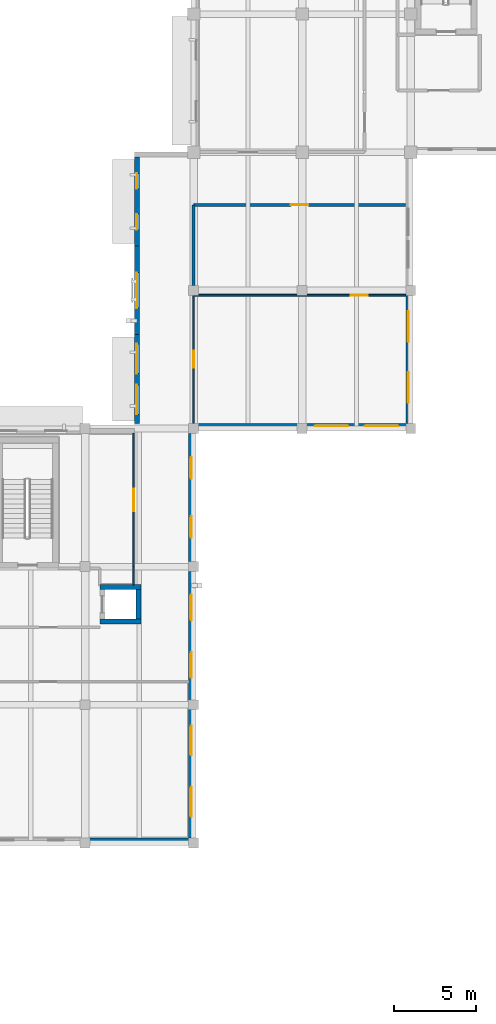
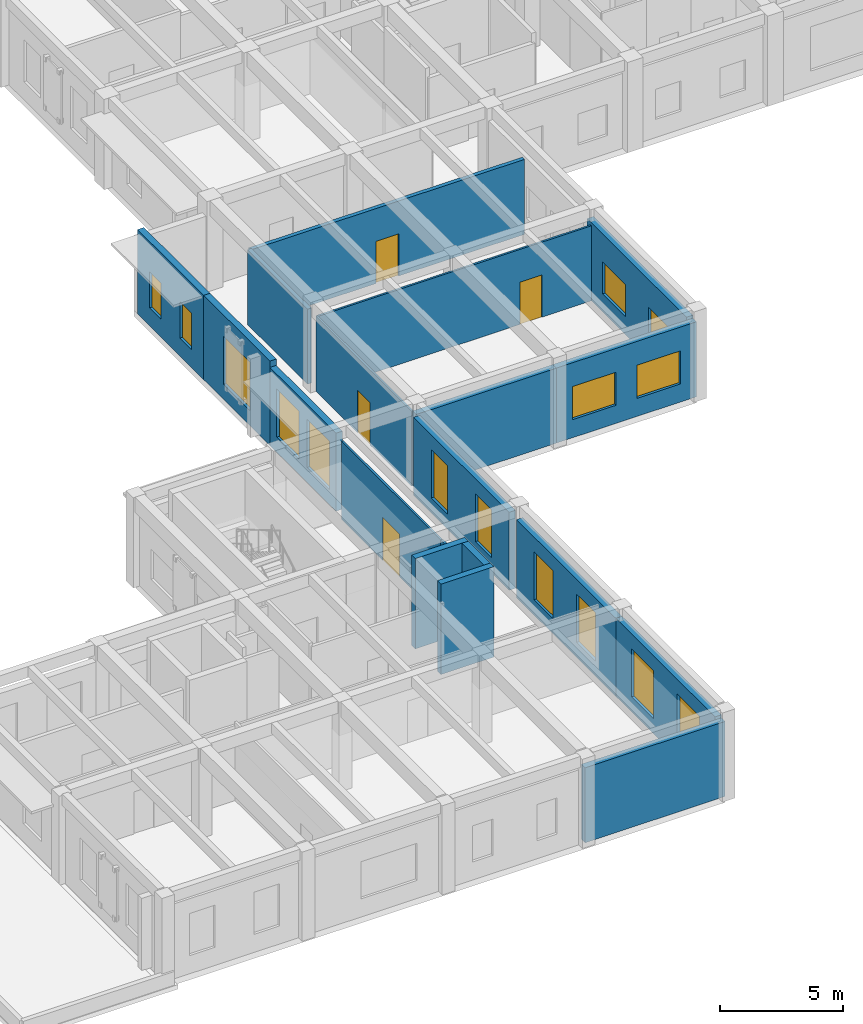
# One storey, part 11 of 25: 19 walls, 15 windows, 4 doors, 19 openings.
"""IFC4 building model written with IfcOpenShell, lengths in metres."""

import ifcopenshell
import ifcopenshell.guid

model = None  # the IFC model being written
_history = None  # IfcOwnerHistory: only IFC2X3 demands one
_inside = {}  # id of a spatial element -> (the spatial element, [elements in it])
_under = {}  # id of a project, library or spatial element -> (it, [spatial elements below it])
_declared = {}  # id of a project -> (the project, [libraries it declares])
_typed = {}  # id of a type object -> (the type object, [elements of that type])
_made_of = {}  # id of a material, layer set ... -> (it, [elements and type objects made of it])


def new_model(schema):
    """Start an empty IFC model of exactly this schema.

    Asked for "IFC4X3", IfcOpenShell would pick the latest addendum, in which some entities
    have other attributes; the version numbers below select the first issue.
    IFC2X3 requires an IfcOwnerHistory on every rooted entity: one is made here for all.
    """
    global model, _history
    if schema == "IFC4X3":
        model = ifcopenshell.file(schema_version=(4, 3, 0, 0))
    else:
        model = ifcopenshell.file(schema=schema)
    _inside.clear()
    _under.clear()
    _declared.clear()
    _typed.clear()
    _made_of.clear()
    _history = None
    if model.schema == "IFC2X3":
        org = make("IfcOrganization", Name="unknown")
        user = make(
            "IfcPersonAndOrganization",
            ThePerson=make("IfcPerson", FamilyName="unknown"),
            TheOrganization=org,
        )
        app = make(
            "IfcApplication",
            ApplicationDeveloper=org,
            Version="unknown",
            ApplicationFullName="unknown",
            ApplicationIdentifier="unknown",
        )
        _history = make(
            "IfcOwnerHistory",
            OwningUser=user,
            OwningApplication=app,
            ChangeAction="ADDED",
            CreationDate=0,
        )
    return model


def make(cls, **values):
    """One entity of the class cls with the attributes given. An attribute that is None is left unset."""
    return model.create_entity(
        cls, **{name: value for name, value in values.items() if value is not None}
    )


def rooted(cls, **values):
    """An entity with a GlobalId (a new one), such as an element, a storey or a relation."""
    return make(cls, GlobalId=ifcopenshell.guid.new(), OwnerHistory=_history, **values)


def si_unit(unit_type, name, prefix=None):
    """IfcSIUnit, for example si_unit("LENGTHUNIT", "METRE", prefix="MILLI")."""
    return make("IfcSIUnit", UnitType=unit_type, Prefix=prefix, Name=name)


def assignment(units):
    """IfcUnitAssignment: the units of a project."""
    return None if units is None else make("IfcUnitAssignment", Units=units)


def point(xyz):
    """IfcCartesianPoint."""
    return None if xyz is None else make("IfcCartesianPoint", Coordinates=xyz)


def direction(xyz):
    """IfcDirection."""
    return None if xyz is None else make("IfcDirection", DirectionRatios=xyz)


def frame(location, z_axis=None, x_axis=None):
    """IfcAxis2Placement3D, a coordinate frame: its origin and axes. An axis left out is left unset."""
    return make(
        "IfcAxis2Placement3D",
        Location=point(location),
        Axis=direction(z_axis),
        RefDirection=direction(x_axis),
    )


def frame_2d(location, x_axis=None):
    """IfcAxis2Placement2D, a coordinate frame in the plane: its origin and x axis."""
    return make(
        "IfcAxis2Placement2D", Location=point(location), RefDirection=direction(x_axis)
    )


def origin():
    """The frame at (0, 0, 0) with its axes left unset."""
    return frame((0.0, 0.0, 0.0))


def place(relative_to, where):
    """IfcLocalPlacement: puts the frame where relative to a parent placement (None: the world)."""
    return make(
        "IfcLocalPlacement", PlacementRelTo=relative_to, RelativePlacement=where
    )


def context(
    kind, dimensions, precision=None, world=None, true_north=None, identifier=None
):
    """IfcGeometricRepresentationContext, for example the 3D "Model" context."""
    return make(
        "IfcGeometricRepresentationContext",
        ContextIdentifier=identifier,
        ContextType=kind,
        CoordinateSpaceDimension=dimensions,
        Precision=precision,
        WorldCoordinateSystem=world,
        TrueNorth=true_north,
    )


def subcontext(parent, identifier, kind, view, scale=None):
    """IfcGeometricRepresentationSubContext, for example "Body" below "Model"."""
    return make(
        "IfcGeometricRepresentationSubContext",
        ContextIdentifier=identifier,
        ContextType=kind,
        ParentContext=parent,
        TargetScale=scale,
        TargetView=view,
    )


def project(units=None, contexts=None):
    """IfcProject with its units and contexts."""
    return rooted(
        "IfcProject",
        Name="project",
        RepresentationContexts=contexts,
        UnitsInContext=assignment(units),
    )


def spatial(cls, under=None, at=None, **own):
    """A site, building, storey or space (cls), placed at a placement, below another one or the project."""
    s = rooted(cls, ObjectPlacement=at, **own)
    if under is not None:
        _under.setdefault(under.id(), (under, []))[1].append(s)
    return s


def profile(cls, at=None, kind="AREA", **sizes):
    """A parametric profile (cls). Its sizes go by their IFC names, for example OverallWidth=200.0."""
    return make(cls, ProfileType=kind, Position=at, **sizes)


def rectangle(**sizes):
    """IfcRectangleProfileDef."""
    return profile("IfcRectangleProfileDef", **sizes)


def extrude(swept, where, along, depth):
    """IfcExtrudedAreaSolid: the profile swept, set in the frame where, extruded along a direction by depth."""
    return make(
        "IfcExtrudedAreaSolid",
        SweptArea=swept,
        Position=where,
        ExtrudedDirection=direction(along),
        Depth=depth,
    )


def shape(context_of_items, identifier, shape_type, items):
    """IfcShapeRepresentation: the items that make up one representation, for example the "Body"."""
    return make(
        "IfcShapeRepresentation",
        ContextOfItems=context_of_items,
        RepresentationIdentifier=identifier,
        RepresentationType=shape_type,
        Items=items,
    )


def material(Name=None, Category=None):
    """IfcMaterial."""
    return make("IfcMaterial", Name=Name, Category=Category)


def layer(
    of_material, thickness, ventilated=None, Name=None, Category=None, Priority=None
):
    """IfcMaterialLayer: one layer of a wall or slab, of a material (None: an air gap)."""
    return make(
        "IfcMaterialLayer",
        Material=of_material,
        LayerThickness=thickness,
        IsVentilated=ventilated,
        Name=Name,
        Category=Category,
        Priority=Priority,
    )


def layer_set(layers, Name=None):
    """IfcMaterialLayerSet."""
    return make("IfcMaterialLayerSet", MaterialLayers=layers, LayerSetName=Name)


def made_of(thing, what):
    """Note that an element or type object is made of a material, layer set ...; save() writes the relation."""
    if what is not None:
        _made_of.setdefault(what.id(), (what, []))[1].append(thing)
    return thing


def type_object(cls, material=None, **own):
    """A type object (cls), such as IfcWallType, which elements share."""
    return made_of(rooted(cls, **own), material)


def element(
    cls,
    number,
    at=None,
    inside=None,
    cuts=None,
    type_object=None,
    material=None,
    context=None,
    identifier="Body",
    shape_type=None,
    held_by="IfcProductDefinitionShape",
    body=None,
    shapes=None,
    **own,
):
    """One element of the class cls, such as IfcWall. Its Tag is "e" and its number.

    at: its placement. inside: the storey or other place that contains it. cuts: it is an
    opening in that element (IfcRelVoidsElement). A single representation is given by context,
    identifier, shape_type and body (its items); several are given by shapes. held_by: the class
    of the entity that holds the representations. save() writes the other relations.
    """
    e = rooted(cls, Tag="e%d" % number, ObjectPlacement=at, **own)
    if body is not None:
        shapes = [shape(context, identifier, shape_type, body)]
    if shapes is not None:
        e.Representation = make(held_by, Representations=shapes)
    if inside is not None:
        _inside.setdefault(inside.id(), (inside, []))[1].append(e)
    if cuts is not None:
        rooted(
            "IfcRelVoidsElement", RelatingBuildingElement=cuts, RelatedOpeningElement=e
        )
    if type_object is not None:
        _typed.setdefault(type_object.id(), (type_object, []))[1].append(e)
    return made_of(e, material)


def fill(opening, filler):
    """IfcRelFillsElement: the door or window that sits in an opening."""
    return rooted(
        "IfcRelFillsElement",
        RelatingOpeningElement=opening,
        RelatedBuildingElement=filler,
    )


def aggregate(whole, parts):
    """IfcRelAggregates: a whole, such as a stair, and the parts it consists of."""
    return rooted("IfcRelAggregates", RelatingObject=whole, RelatedObjects=parts)


def save(model, path):
    """Write the relations noted so far, then the file.

    IfcRelAggregates (storeys below a building ...), IfcRelContainedInSpatialStructure (elements
    in a storey), IfcRelDefinesByType, IfcRelAssociatesMaterial and IfcRelDeclares: one each for
    every whole, place, type object, material and project.
    """
    for whole, parts in _under.values():
        aggregate(whole, parts)
    for where, things in _inside.values():
        rooted(
            "IfcRelContainedInSpatialStructure",
            RelatedElements=things,
            RelatingStructure=where,
        )
    for kind, things in _typed.values():
        rooted("IfcRelDefinesByType", RelatedObjects=things, RelatingType=kind)
    for what, things in _made_of.values():
        rooted("IfcRelAssociatesMaterial", RelatedObjects=things, RelatingMaterial=what)
    for by, libraries in _declared.values():
        rooted("IfcRelDeclares", RelatingContext=by, RelatedDefinitions=libraries)
    model.write(path)


model = new_model("IFC4")

# Units and contexts
model_context = context("Model", 3, precision=1e-05, world=origin(), true_north=direction((0.0, 1.0)))
body_context = subcontext(model_context, "Body", "Model", "MODEL_VIEW")
ifc_project = project(units=[si_unit("LENGTHUNIT", "METRE"), si_unit("AREAUNIT", "SQUARE_METRE"), si_unit("VOLUMEUNIT", "CUBIC_METRE"), si_unit("PLANEANGLEUNIT", "RADIAN"), si_unit("MASSUNIT", "GRAM", prefix="KILO")], contexts=[model_context])

# Site, building, storey
site_placement = place(None, origin())
site = spatial("IfcSite", under=ifc_project, at=site_placement, CompositionType="ELEMENT")
building_placement = place(site_placement, origin())
building = spatial("IfcBuilding", under=site, at=building_placement, Name="Kolvaren Faculty of Natural Sciences", CompositionType="ELEMENT")
storey_placement = place(building_placement, frame((0.0, 0.0, 19.5)))
storey = spatial("IfcBuildingStorey", under=building, at=storey_placement, Name="L04", CompositionType="ELEMENT", Elevation=19.5)

# Wall, opening, door
ifc_material_1 = material(Name="Acoustic mineral-wool insulated gypsum partition")
ifc_layer_1 = layer(ifc_material_1, 0.094970703125)
ifc_layer_set_1 = layer_set([ifc_layer_1], Name="Acoustic mineral-wool insulated gypsum partition")
wall_type_1 = type_object("IfcWallType", Name="CubiclePartition_095", PredefinedType="PARTITIONING", material=ifc_layer_set_1)
wall_1_placement = place(storey_placement, frame((138.800048828125, 42.501953125, 0.0), z_axis=(0.0, 0.0, 1.0), x_axis=(0.0, 1.0, 0.0)))
wall_1 = element("IfcWall", 1, at=wall_1_placement, inside=storey, type_object=wall_type_1, Name="L04 interior partition PW-095", PredefinedType="PARTITIONING", context=body_context, shape_type="SweptSolid", body=[
    extrude(rectangle(XDim=7.798095703125, YDim=0.094970703125, at=frame_2d((3.89892578125, 0.0))), origin(), (0.0, 0.0, 1.0), 3.735107421875),
])
opening_1_placement = place(wall_1_placement, frame((3.384033203125, 0.0, 0.0)))
opening_1 = element("IfcOpeningElement", 2, at=opening_1_placement, cuts=wall_1, Name="Opening ID-15", PredefinedType="OPENING", context=body_context, shape_type="SweptSolid", body=[
    extrude(rectangle(XDim=1.030029296875, YDim=2.10009765625, at=frame_2d((0.51513671875, 1.050048828125))), frame((0.0, 0.057373046875, 0.0), z_axis=(0.0, -1.0, 0.0), x_axis=(1.0, 0.0, 0.0)), (0.0, 0.0, 1.0), 0.114990234375),
])
ifc_material_2 = material(Name="Solid-core hardwood veneer door leaf in steel frame", Category="steel")
door_type_1 = type_object("IfcDoorType", Name="InteriorRoomDoor_1030x2100", OperationType="NOTDEFINED", PredefinedType="DOOR", material=ifc_material_2)
door_1_placement = place(opening_1_placement, origin())
door_1 = element("IfcDoor", 3, at=door_1_placement, inside=storey, type_object=door_type_1, Name="D-L04-0282", OperationType="SINGLE_SWING_LEFT", OverallHeight=2.10009765625, OverallWidth=1.030029296875, PredefinedType="DOOR", context=body_context, shape_type="SweptSolid", body=[
    extrude(rectangle(XDim=1.030029296875, YDim=2.10009765625, at=frame_2d((0.51513671875, 1.050048828125))), frame((0.0, 0.02490234375, 0.0), z_axis=(0.0, -1.0, 0.0), x_axis=(1.0, 0.0, 0.0)), (0.0, 0.0, 1.0), 0.050048828125),
])
fill(opening_1, door_1)

wall_2_placement = place(storey_placement, frame((138.800048828125, 50.300048828125, 0.0), z_axis=(0.0, 0.0, 1.0), x_axis=(1.0, 0.0, 0.0)))
wall_2 = element("IfcWall", 4, at=wall_2_placement, inside=storey, type_object=wall_type_1, Name="L04 interior partition PW-095", PredefinedType="PARTITIONING", context=body_context, shape_type="SweptSolid", body=[
    extrude(rectangle(XDim=12.89794921875, YDim=0.094970703125, at=frame_2d((6.448974609375, 0.0))), origin(), (0.0, 0.0, 1.0), 3.735107421875),
])
opening_2_placement = place(wall_2_placement, frame((9.54541015625, 0.0, 0.0)))
opening_2 = element("IfcOpeningElement", 5, at=opening_2_placement, cuts=wall_2, Name="Opening ID-15", PredefinedType="OPENING", context=body_context, shape_type="SweptSolid", body=[
    extrude(rectangle(XDim=1.030029296875, YDim=2.10009765625, at=frame_2d((0.51513671875, 1.050048828125))), frame((0.0, 0.057373046875, 0.0), z_axis=(0.0, -1.0, 0.0), x_axis=(1.0, 0.0, 0.0)), (0.0, 0.0, 1.0), 0.114990234375),
])
door_2_placement = place(opening_2_placement, origin())
door_2 = element("IfcDoor", 6, at=door_2_placement, inside=storey, type_object=door_type_1, Name="D-L04-0283", OperationType="SINGLE_SWING_RIGHT", OverallHeight=2.10009765625, OverallWidth=1.030029296875, PredefinedType="DOOR", context=body_context, shape_type="SweptSolid", body=[
    extrude(rectangle(XDim=1.030029296875, YDim=2.10009765625, at=frame_2d((0.51513671875, 1.050048828125))), frame((0.0, 0.02490234375, 0.0), z_axis=(0.0, -1.0, 0.0), x_axis=(1.0, 0.0, 0.0)), (0.0, 0.0, 1.0), 0.050048828125),
])
fill(opening_2, door_2)

wall_3_placement = place(storey_placement, frame((135.14990234375, 41.89794921875, 0.0), z_axis=(0.0, 0.0, 1.0), x_axis=(0.0, -1.0, 0.0)))
wall_3 = element("IfcWall", 7, at=wall_3_placement, inside=storey, type_object=wall_type_1, Name="L04 interior partition PW-095", PredefinedType="PARTITIONING", context=body_context, shape_type="SweptSolid", body=[
    extrude(rectangle(XDim=8.097900390625, YDim=0.094970703125, at=frame_2d((4.048828125, 0.0))), origin(), (0.0, 0.0, 1.0), 3.885009765625),
])
opening_3_placement = place(wall_3_placement, frame((3.368896484375, 0.0, 0.0)))
opening_3 = element("IfcOpeningElement", 8, at=opening_3_placement, cuts=wall_3, Name="Opening ID-26", PredefinedType="OPENING", context=body_context, shape_type="SweptSolid", body=[
    extrude(rectangle(XDim=1.360107421875, YDim=2.139892578125, at=frame_2d((0.68017578125, 1.06982421875))), frame((0.0, 0.057373046875, 0.0), z_axis=(0.0, -1.0, 0.0), x_axis=(1.0, 0.0, 0.0)), (0.0, 0.0, 1.0), 0.114990234375),
])
ifc_material_3 = material(Name="Thermally broken anodised aluminium glazed door", Category="aluminium")
door_type_2 = type_object("IfcDoorType", Name="InteriorRoomDoor_1360x2140", OperationType="DOUBLE_DOOR_SINGLE_SWING", PredefinedType="DOOR", material=ifc_material_3)
door_3_placement = place(opening_3_placement, origin())
door_3 = element("IfcDoor", 9, at=door_3_placement, inside=storey, type_object=door_type_2, Name="D-L04-0295", OperationType="DOUBLE_DOOR_SINGLE_SWING", OverallHeight=2.139892578125, OverallWidth=1.360107421875, PredefinedType="DOOR", context=body_context, shape_type="SweptSolid", body=[
    extrude(rectangle(XDim=1.360107421875, YDim=2.139892578125, at=frame_2d((0.68017578125, 1.06982421875))), frame((0.0, 0.02490234375, 0.0), z_axis=(0.0, -1.0, 0.0), x_axis=(1.0, 0.0, 0.0)), (0.0, 0.0, 1.0), 0.050048828125),
])
fill(opening_3, door_3)

# Wall
wall_4_placement = place(storey_placement, frame((135.14990234375, 33.800048828125, 0.0), z_axis=(0.0, 0.0, 1.0), x_axis=(0.0, -1.0, 0.0)))
element("IfcWall", 10, at=wall_4_placement, inside=storey, type_object=wall_type_1, Name="L04 interior partition PW-095", PredefinedType="PARTITIONING", context=body_context, shape_type="SweptSolid", body=[
    extrude(rectangle(XDim=1.09814453125, YDim=0.094970703125, at=frame_2d((0.549072265625, 0.0))), origin(), (0.0, 0.0, 1.0), 3.885009765625),
])

# Wall, openings, windows
ifc_material_4 = material(Name="Sandstone-faced insulated cavity masonry", Category="masonry")
ifc_layer_2 = layer(ifc_material_4, 0.300048828125)
ifc_layer_set_2 = layer_set([ifc_layer_2], Name="Sandstone-faced insulated cavity masonry")
wall_type_2 = type_object("IfcWallType", Name="ExteriorCavityWall_300", PredefinedType="STANDARD", material=ifc_layer_set_2)
wall_5_placement = place(storey_placement, frame((135.35009765625, 42.5, 0.0), z_axis=(0.0, 0.0, 1.0), x_axis=(0.0, 1.0, 0.0)))
wall_5 = element("IfcWall", 11, at=wall_5_placement, inside=storey, type_object=wall_type_2, Name="L04 exterior masonry wall EW-300 (599)", PredefinedType="STANDARD", context=body_context, shape_type="SweptSolid", body=[
    extrude(rectangle(XDim=5.39990234375, YDim=0.300048828125, at=frame_2d((2.699951171875, 0.0))), origin(), (0.0, 0.0, 1.0), 3.885009765625),
])
opening_4_placement = place(wall_5_placement, frame((0.55810546875, 0.0, 0.75)))
opening_4 = element("IfcOpeningElement", 12, at=opening_4_placement, cuts=wall_5, Name="Opening WIN-21", PredefinedType="OPENING", context=body_context, shape_type="SweptSolid", body=[
    extrude(rectangle(XDim=1.800048828125, YDim=2.39990234375, at=frame_2d((0.89990234375, 1.199951171875))), frame((0.0, 0.159912109375, 0.0), z_axis=(0.0, -1.0, 0.0), x_axis=(1.0, 0.0, 0.0)), (0.0, 0.0, 1.0), 0.320068359375),
])
opening_5_placement = place(wall_5_placement, frame((3.0419921875, 0.0, 0.75)))
opening_5 = element("IfcOpeningElement", 13, at=opening_5_placement, cuts=wall_5, Name="Opening WIN-21", PredefinedType="OPENING", context=body_context, shape_type="SweptSolid", body=[
    extrude(rectangle(XDim=1.800048828125, YDim=2.39990234375, at=frame_2d((0.89990234375, 1.199951171875))), frame((0.0, 0.159912109375, 0.0), z_axis=(0.0, -1.0, 0.0), x_axis=(1.0, 0.0, 0.0)), (0.0, 0.0, 1.0), 0.320068359375),
])
ifc_material_5 = material(Name="Double low-E solar control insulated glazing", Category="glass")
window_type_1 = type_object("IfcWindowType", Name="AluWindow_WIN21_1800x2400", PartitioningType="SINGLE_PANEL", PredefinedType="WINDOW", material=ifc_material_5)
window_1_placement = place(opening_4_placement, origin())
window_1 = element("IfcWindow", 14, at=window_1_placement, inside=storey, type_object=window_type_1, Name="WIN-L04-0383", OverallHeight=2.39990234375, OverallWidth=1.800048828125, PartitioningType="SINGLE_PANEL", PredefinedType="WINDOW", context=body_context, shape_type="SweptSolid", body=[
    extrude(rectangle(XDim=1.800048828125, YDim=2.39990234375, at=frame_2d((0.89990234375, 1.199951171875))), frame((0.0, 0.030029296875, 0.0), z_axis=(0.0, -1.0, 0.0), x_axis=(1.0, 0.0, 0.0)), (0.0, 0.0, 1.0), 0.06005859375),
])
fill(opening_4, window_1)
window_2_placement = place(opening_5_placement, origin())
window_2 = element("IfcWindow", 15, at=window_2_placement, inside=storey, type_object=window_type_1, Name="WIN-L04-0384", OverallHeight=2.39990234375, OverallWidth=1.800048828125, PartitioningType="SINGLE_PANEL", PredefinedType="WINDOW", context=body_context, shape_type="SweptSolid", body=[
    extrude(rectangle(XDim=1.800048828125, YDim=2.39990234375, at=frame_2d((0.89990234375, 1.199951171875))), frame((0.0, 0.030029296875, 0.0), z_axis=(0.0, -1.0, 0.0), x_axis=(1.0, 0.0, 0.0)), (0.0, 0.0, 1.0), 0.06005859375),
])
fill(opening_5, window_2)

# Wall, opening, window
wall_6_placement = place(storey_placement, frame((135.35009765625, 47.89990234375, 0.0), z_axis=(0.0, 0.0, 1.0), x_axis=(0.0, 1.0, 0.0)))
wall_6 = element("IfcWall", 16, at=wall_6_placement, inside=storey, type_object=wall_type_2, Name="L04 exterior masonry wall EW-300 (600)", PredefinedType="STANDARD", context=body_context, shape_type="SweptSolid", body=[
    extrude(rectangle(XDim=5.400146484375, YDim=0.300048828125, at=frame_2d((2.7001953125, 0.0))), origin(), (0.0, 0.0, 1.0), 4.199951171875),
])
opening_6_placement = place(wall_6_placement, frame((1.625, 0.0, 0.75)))
opening_6 = element("IfcOpeningElement", 17, at=opening_6_placement, cuts=wall_6, Name="Opening WIN-22", PredefinedType="OPENING", context=body_context, shape_type="SweptSolid", body=[
    extrude(rectangle(XDim=2.14990234375, YDim=2.39990234375, at=frame_2d((1.074951171875, 1.199951171875))), frame((0.0, 0.159912109375, 0.0), z_axis=(0.0, -1.0, 0.0), x_axis=(1.0, 0.0, 0.0)), (0.0, 0.0, 1.0), 0.320068359375),
])
window_type_2 = type_object("IfcWindowType", Name="AluWindow_WIN22_2150x2400", PartitioningType="SINGLE_PANEL", PredefinedType="WINDOW", material=ifc_material_5)
window_3_placement = place(opening_6_placement, origin())
window_3 = element("IfcWindow", 18, at=window_3_placement, inside=storey, type_object=window_type_2, Name="WIN-L04-0385", OverallHeight=2.39990234375, OverallWidth=2.14990234375, PartitioningType="SINGLE_PANEL", PredefinedType="WINDOW", context=body_context, shape_type="SweptSolid", body=[
    extrude(rectangle(XDim=2.14990234375, YDim=2.39990234375, at=frame_2d((1.074951171875, 1.199951171875))), frame((0.0, 0.030029296875, 0.0), z_axis=(0.0, -1.0, 0.0), x_axis=(1.0, 0.0, 0.0)), (0.0, 0.0, 1.0), 0.06005859375),
])
fill(opening_6, window_3)

# Wall, openings, windows
wall_7_placement = place(storey_placement, frame((135.35009765625, 53.300048828125, 0.0), z_axis=(0.0, 0.0, 1.0), x_axis=(0.0, 1.0, 0.0)))
wall_7 = element("IfcWall", 19, at=wall_7_placement, inside=storey, type_object=wall_type_2, Name="L04 exterior masonry wall EW-300 (601)", PredefinedType="STANDARD", context=body_context, shape_type="SweptSolid", body=[
    extrude(rectangle(XDim=5.39990234375, YDim=0.300048828125, at=frame_2d((2.699951171875, 0.0))), origin(), (0.0, 0.0, 1.0), 4.199951171875),
])
opening_7_placement = place(wall_7_placement, frame((0.98291015625, 0.0, 0.89990234375)))
opening_7 = element("IfcOpeningElement", 20, at=opening_7_placement, cuts=wall_7, Name="Opening WIN-23", PredefinedType="OPENING", context=body_context, shape_type="SweptSolid", body=[
    extrude(rectangle(XDim=0.949951171875, YDim=1.800048828125, at=frame_2d((0.47509765625, 0.89990234375))), frame((0.0, 0.159912109375, 0.0), z_axis=(0.0, -1.0, 0.0), x_axis=(1.0, 0.0, 0.0)), (0.0, 0.0, 1.0), 0.320068359375),
])
opening_8_placement = place(wall_7_placement, frame((3.467041015625, 0.0, 0.89990234375)))
opening_8 = element("IfcOpeningElement", 21, at=opening_8_placement, cuts=wall_7, Name="Opening WIN-23", PredefinedType="OPENING", context=body_context, shape_type="SweptSolid", body=[
    extrude(rectangle(XDim=0.949951171875, YDim=1.800048828125, at=frame_2d((0.47509765625, 0.89990234375))), frame((0.0, 0.159912109375, 0.0), z_axis=(0.0, -1.0, 0.0), x_axis=(1.0, 0.0, 0.0)), (0.0, 0.0, 1.0), 0.320068359375),
])
window_type_3 = type_object("IfcWindowType", Name="AluWindow_WIN23_950x1800", PartitioningType="SINGLE_PANEL", PredefinedType="WINDOW", material=ifc_material_5)
window_4_placement = place(opening_7_placement, origin())
window_4 = element("IfcWindow", 22, at=window_4_placement, inside=storey, type_object=window_type_3, Name="WIN-L04-0386", OverallHeight=1.800048828125, OverallWidth=0.949951171875, PartitioningType="SINGLE_PANEL", PredefinedType="WINDOW", context=body_context, shape_type="SweptSolid", body=[
    extrude(rectangle(XDim=0.949951171875, YDim=1.800048828125, at=frame_2d((0.47509765625, 0.89990234375))), frame((0.0, 0.030029296875, 0.0), z_axis=(0.0, -1.0, 0.0), x_axis=(1.0, 0.0, 0.0)), (0.0, 0.0, 1.0), 0.06005859375),
])
fill(opening_7, window_4)
window_5_placement = place(opening_8_placement, origin())
window_5 = element("IfcWindow", 23, at=window_5_placement, inside=storey, type_object=window_type_3, Name="WIN-L04-0387", OverallHeight=1.800048828125, OverallWidth=0.949951171875, PartitioningType="SINGLE_PANEL", PredefinedType="WINDOW", context=body_context, shape_type="SweptSolid", body=[
    extrude(rectangle(XDim=0.949951171875, YDim=1.800048828125, at=frame_2d((0.47509765625, 0.89990234375))), frame((0.0, 0.030029296875, 0.0), z_axis=(0.0, -1.0, 0.0), x_axis=(1.0, 0.0, 0.0)), (0.0, 0.0, 1.0), 0.06005859375),
])
fill(opening_8, window_5)

wall_8_placement = place(storey_placement, frame((151.85009765625, 50.60009765625, 0.0), z_axis=(0.0, 0.0, 1.0), x_axis=(0.0, -1.0, 0.0)))
wall_8 = element("IfcWall", 24, at=wall_8_placement, inside=storey, type_object=wall_type_2, Name="L04 exterior masonry wall EW-300 (618)", PredefinedType="STANDARD", context=body_context, shape_type="SweptSolid", body=[
    extrude(rectangle(XDim=8.10009765625, YDim=0.300048828125, at=frame_2d((4.050048828125, 0.0))), origin(), (0.0, 0.0, 1.0), 3.885009765625),
])
opening_9_placement = place(wall_8_placement, frame((1.261962890625, 0.0, 0.89990234375)))
opening_9 = element("IfcOpeningElement", 25, at=opening_9_placement, cuts=wall_8, Name="Opening WIN-16", PredefinedType="OPENING", context=body_context, shape_type="SweptSolid", body=[
    extrude(rectangle(XDim=1.85009765625, YDim=1.60009765625, at=frame_2d((0.925048828125, 0.800048828125))), frame((0.0, 0.159912109375, 0.0), z_axis=(0.0, -1.0, 0.0), x_axis=(1.0, 0.0, 0.0)), (0.0, 0.0, 1.0), 0.320068359375),
])
opening_10_placement = place(wall_8_placement, frame((4.988037109375, 0.0, 0.89990234375)))
opening_10 = element("IfcOpeningElement", 26, at=opening_10_placement, cuts=wall_8, Name="Opening WIN-16", PredefinedType="OPENING", context=body_context, shape_type="SweptSolid", body=[
    extrude(rectangle(XDim=1.85009765625, YDim=1.60009765625, at=frame_2d((0.925048828125, 0.800048828125))), frame((0.0, 0.159912109375, 0.0), z_axis=(0.0, -1.0, 0.0), x_axis=(1.0, 0.0, 0.0)), (0.0, 0.0, 1.0), 0.320068359375),
])
window_type_4 = type_object("IfcWindowType", Name="AluWindow_WIN16_1850x1600", PartitioningType="SINGLE_PANEL", PredefinedType="WINDOW", material=ifc_material_5)
window_6_placement = place(opening_9_placement, origin())
window_6 = element("IfcWindow", 27, at=window_6_placement, inside=storey, type_object=window_type_4, Name="WIN-L04-0413", OverallHeight=1.60009765625, OverallWidth=1.85009765625, PartitioningType="SINGLE_PANEL", PredefinedType="WINDOW", context=body_context, shape_type="SweptSolid", body=[
    extrude(rectangle(XDim=1.85009765625, YDim=1.60009765625, at=frame_2d((0.925048828125, 0.800048828125))), frame((0.0, 0.030029296875, 0.0), z_axis=(0.0, -1.0, 0.0), x_axis=(1.0, 0.0, 0.0)), (0.0, 0.0, 1.0), 0.06005859375),
])
fill(opening_9, window_6)
window_7_placement = place(opening_10_placement, origin())
window_7 = element("IfcWindow", 28, at=window_7_placement, inside=storey, type_object=window_type_4, Name="WIN-L04-0414", OverallHeight=1.60009765625, OverallWidth=1.85009765625, PartitioningType="SINGLE_PANEL", PredefinedType="WINDOW", context=body_context, shape_type="SweptSolid", body=[
    extrude(rectangle(XDim=1.85009765625, YDim=1.60009765625, at=frame_2d((0.925048828125, 0.800048828125))), frame((0.0, 0.030029296875, 0.0), z_axis=(0.0, -1.0, 0.0), x_axis=(1.0, 0.0, 0.0)), (0.0, 0.0, 1.0), 0.06005859375),
])
fill(opening_10, window_7)

wall_9_placement = place(storey_placement, frame((152.0, 42.35009765625, 0.0), z_axis=(0.0, 0.0, 1.0), x_axis=(-1.0, 0.0, 0.0)))
wall_9 = element("IfcWall", 29, at=wall_9_placement, inside=storey, type_object=wall_type_2, Name="L04 exterior masonry wall EW-300 (619)", PredefinedType="STANDARD", context=body_context, shape_type="SweptSolid", body=[
    extrude(rectangle(XDim=6.60009765625, YDim=0.300048828125, at=frame_2d((3.300048828125, 0.0))), origin(), (0.0, 0.0, 1.0), 3.735107421875),
])
opening_11_placement = place(wall_9_placement, frame((0.757080078125, 0.0, 0.89990234375)))
opening_11 = element("IfcOpeningElement", 30, at=opening_11_placement, cuts=wall_9, Name="Opening WIN-17", PredefinedType="OPENING", context=body_context, shape_type="SweptSolid", body=[
    extrude(rectangle(XDim=2.050048828125, YDim=1.64990234375, at=frame_2d((1.02490234375, 0.824951171875))), frame((0.0, 0.159912109375, 0.0), z_axis=(0.0, -1.0, 0.0), x_axis=(1.0, 0.0, 0.0)), (0.0, 0.0, 1.0), 0.320068359375),
])
opening_12_placement = place(wall_9_placement, frame((3.79296875, 0.0, 0.89990234375)))
opening_12 = element("IfcOpeningElement", 31, at=opening_12_placement, cuts=wall_9, Name="Opening WIN-17", PredefinedType="OPENING", context=body_context, shape_type="SweptSolid", body=[
    extrude(rectangle(XDim=2.050048828125, YDim=1.64990234375, at=frame_2d((1.02490234375, 0.824951171875))), frame((0.0, 0.159912109375, 0.0), z_axis=(0.0, -1.0, 0.0), x_axis=(1.0, 0.0, 0.0)), (0.0, 0.0, 1.0), 0.320068359375),
])
window_type_5 = type_object("IfcWindowType", Name="AluWindow_WIN17_2050x1650", PartitioningType="SINGLE_PANEL", PredefinedType="WINDOW", material=ifc_material_5)
window_8_placement = place(opening_11_placement, origin())
window_8 = element("IfcWindow", 32, at=window_8_placement, inside=storey, type_object=window_type_5, Name="WIN-L04-0415", OverallHeight=1.64990234375, OverallWidth=2.050048828125, PartitioningType="SINGLE_PANEL", PredefinedType="WINDOW", context=body_context, shape_type="SweptSolid", body=[
    extrude(rectangle(XDim=2.050048828125, YDim=1.64990234375, at=frame_2d((1.02490234375, 0.824951171875))), frame((0.0, 0.030029296875, 0.0), z_axis=(0.0, -1.0, 0.0), x_axis=(1.0, 0.0, 0.0)), (0.0, 0.0, 1.0), 0.06005859375),
])
fill(opening_11, window_8)
window_9_placement = place(opening_12_placement, origin())
window_9 = element("IfcWindow", 33, at=window_9_placement, inside=storey, type_object=window_type_5, Name="WIN-L04-0416", OverallHeight=1.64990234375, OverallWidth=2.050048828125, PartitioningType="SINGLE_PANEL", PredefinedType="WINDOW", context=body_context, shape_type="SweptSolid", body=[
    extrude(rectangle(XDim=2.050048828125, YDim=1.64990234375, at=frame_2d((1.02490234375, 0.824951171875))), frame((0.0, 0.030029296875, 0.0), z_axis=(0.0, -1.0, 0.0), x_axis=(1.0, 0.0, 0.0)), (0.0, 0.0, 1.0), 0.06005859375),
])
fill(opening_12, window_9)

# Wall
wall_10_placement = place(storey_placement, frame((145.39990234375, 42.35009765625, 0.0), z_axis=(0.0, 0.0, 1.0), x_axis=(-1.0, 0.0, 0.0)))
element("IfcWall", 34, at=wall_10_placement, inside=storey, type_object=wall_type_2, Name="L04 exterior masonry wall EW-300 (620)", PredefinedType="STANDARD", context=body_context, shape_type="SweptSolid", body=[
    extrude(rectangle(XDim=6.599853515625, YDim=0.300048828125, at=frame_2d((3.2998046875, 0.0))), origin(), (0.0, 0.0, 1.0), 3.735107421875),
])

# Wall, openings, windows
wall_11_placement = place(storey_placement, frame((138.64990234375, 41.89990234375, 0.0), z_axis=(0.0, 0.0, 1.0), x_axis=(0.0, -1.0, 0.0)))
wall_11 = element("IfcWall", 35, at=wall_11_placement, inside=storey, type_object=wall_type_2, Name="L04 exterior masonry wall EW-300 (621)", PredefinedType="STANDARD", context=body_context, shape_type="SweptSolid", body=[
    extrude(rectangle(XDim=7.7998046875, YDim=0.300048828125, at=frame_2d((3.89990234375, 0.0))), origin(), (0.0, 0.0, 1.0), 3.885009765625),
])
opening_13_placement = place(wall_11_placement, frame((1.4560546875, 0.0, 0.75)))
opening_13 = element("IfcOpeningElement", 36, at=opening_13_placement, cuts=wall_11, Name="Opening WIN-19", PredefinedType="OPENING", context=body_context, shape_type="SweptSolid", body=[
    extrude(rectangle(XDim=1.300048828125, YDim=2.39990234375, at=frame_2d((0.64990234375, 1.199951171875))), frame((0.0, 0.159912109375, 0.0), z_axis=(0.0, -1.0, 0.0), x_axis=(1.0, 0.0, 0.0)), (0.0, 0.0, 1.0), 0.320068359375),
])
opening_14_placement = place(wall_11_placement, frame((5.0439453125, 0.0, 0.75)))
opening_14 = element("IfcOpeningElement", 37, at=opening_14_placement, cuts=wall_11, Name="Opening WIN-19", PredefinedType="OPENING", context=body_context, shape_type="SweptSolid", body=[
    extrude(rectangle(XDim=1.300048828125, YDim=2.39990234375, at=frame_2d((0.64990234375, 1.199951171875))), frame((0.0, 0.159912109375, 0.0), z_axis=(0.0, -1.0, 0.0), x_axis=(1.0, 0.0, 0.0)), (0.0, 0.0, 1.0), 0.320068359375),
])
window_type_6 = type_object("IfcWindowType", Name="AluWindow_WIN19_1300x2400", PartitioningType="SINGLE_PANEL", PredefinedType="WINDOW", material=ifc_material_5)
window_10_placement = place(opening_13_placement, origin())
window_10 = element("IfcWindow", 38, at=window_10_placement, inside=storey, type_object=window_type_6, Name="WIN-L04-0417", OverallHeight=2.39990234375, OverallWidth=1.300048828125, PartitioningType="SINGLE_PANEL", PredefinedType="WINDOW", context=body_context, shape_type="SweptSolid", body=[
    extrude(rectangle(XDim=1.300048828125, YDim=2.39990234375, at=frame_2d((0.64990234375, 1.199951171875))), frame((0.0, 0.030029296875, 0.0), z_axis=(0.0, -1.0, 0.0), x_axis=(1.0, 0.0, 0.0)), (0.0, 0.0, 1.0), 0.06005859375),
])
fill(opening_13, window_10)
window_11_placement = place(opening_14_placement, origin())
window_11 = element("IfcWindow", 39, at=window_11_placement, inside=storey, type_object=window_type_6, Name="WIN-L04-0418", OverallHeight=2.39990234375, OverallWidth=1.300048828125, PartitioningType="SINGLE_PANEL", PredefinedType="WINDOW", context=body_context, shape_type="SweptSolid", body=[
    extrude(rectangle(XDim=1.300048828125, YDim=2.39990234375, at=frame_2d((0.64990234375, 1.199951171875))), frame((0.0, 0.030029296875, 0.0), z_axis=(0.0, -1.0, 0.0), x_axis=(1.0, 0.0, 0.0)), (0.0, 0.0, 1.0), 0.06005859375),
])
fill(opening_14, window_11)

wall_12_placement = place(storey_placement, frame((138.64990234375, 33.5, 0.0), z_axis=(0.0, 0.0, 1.0), x_axis=(0.0, -1.0, 0.0)))
wall_12 = element("IfcWall", 40, at=wall_12_placement, inside=storey, type_object=wall_type_2, Name="L04 exterior masonry wall EW-300 (622)", PredefinedType="STANDARD", context=body_context, shape_type="SweptSolid", body=[
    extrude(rectangle(XDim=8.10009765625, YDim=0.300048828125, at=frame_2d((4.050048828125, 0.0))), origin(), (0.0, 0.0, 1.0), 3.885009765625),
])
opening_15_placement = place(wall_12_placement, frame((1.412109375, 0.0, 0.75)))
opening_15 = element("IfcOpeningElement", 41, at=opening_15_placement, cuts=wall_12, Name="Opening WIN-20", PredefinedType="OPENING", context=body_context, shape_type="SweptSolid", body=[
    extrude(rectangle(XDim=1.550048828125, YDim=2.39990234375, at=frame_2d((0.77490234375, 1.199951171875))), frame((0.0, 0.159912109375, 0.0), z_axis=(0.0, -1.0, 0.0), x_axis=(1.0, 0.0, 0.0)), (0.0, 0.0, 1.0), 0.320068359375),
])
opening_16_placement = place(wall_12_placement, frame((4.909912109375, 0.0, 0.75)))
opening_16 = element("IfcOpeningElement", 42, at=opening_16_placement, cuts=wall_12, Name="Opening WIN-20", PredefinedType="OPENING", context=body_context, shape_type="SweptSolid", body=[
    extrude(rectangle(XDim=1.550048828125, YDim=2.39990234375, at=frame_2d((0.77490234375, 1.199951171875))), frame((0.0, 0.159912109375, 0.0), z_axis=(0.0, -1.0, 0.0), x_axis=(1.0, 0.0, 0.0)), (0.0, 0.0, 1.0), 0.320068359375),
])
window_type_7 = type_object("IfcWindowType", Name="AluWindow_WIN20_1550x2400", PartitioningType="SINGLE_PANEL", PredefinedType="WINDOW", material=ifc_material_5)
window_12_placement = place(opening_15_placement, origin())
window_12 = element("IfcWindow", 43, at=window_12_placement, inside=storey, type_object=window_type_7, Name="WIN-L04-0419", OverallHeight=2.39990234375, OverallWidth=1.550048828125, PartitioningType="SINGLE_PANEL", PredefinedType="WINDOW", context=body_context, shape_type="SweptSolid", body=[
    extrude(rectangle(XDim=1.550048828125, YDim=2.39990234375, at=frame_2d((0.77490234375, 1.199951171875))), frame((0.0, 0.030029296875, 0.0), z_axis=(0.0, -1.0, 0.0), x_axis=(1.0, 0.0, 0.0)), (0.0, 0.0, 1.0), 0.06005859375),
])
fill(opening_15, window_12)
window_13_placement = place(opening_16_placement, origin())
window_13 = element("IfcWindow", 44, at=window_13_placement, inside=storey, type_object=window_type_7, Name="WIN-L04-0420", OverallHeight=2.39990234375, OverallWidth=1.550048828125, PartitioningType="SINGLE_PANEL", PredefinedType="WINDOW", context=body_context, shape_type="SweptSolid", body=[
    extrude(rectangle(XDim=1.550048828125, YDim=2.39990234375, at=frame_2d((0.77490234375, 1.199951171875))), frame((0.0, 0.030029296875, 0.0), z_axis=(0.0, -1.0, 0.0), x_axis=(1.0, 0.0, 0.0)), (0.0, 0.0, 1.0), 0.06005859375),
])
fill(opening_16, window_13)

wall_13_placement = place(storey_placement, frame((138.64990234375, 25.39990234375, 0.0), z_axis=(0.0, 0.0, 1.0), x_axis=(0.0, -1.0, 0.0)))
wall_13 = element("IfcWall", 45, at=wall_13_placement, inside=storey, type_object=wall_type_2, Name="L04 exterior masonry wall EW-300 (623)", PredefinedType="STANDARD", context=body_context, shape_type="SweptSolid", body=[
    extrude(rectangle(XDim=8.099853515625, YDim=0.300048828125, at=frame_2d((4.0498046875, 0.0))), origin(), (0.0, 0.0, 1.0), 3.885009765625),
])
opening_17_placement = place(wall_13_placement, frame((1.287109375, 0.0, 0.75)))
opening_17 = element("IfcOpeningElement", 46, at=opening_17_placement, cuts=wall_13, Name="Opening WIN-21", PredefinedType="OPENING", context=body_context, shape_type="SweptSolid", body=[
    extrude(rectangle(XDim=1.800048828125, YDim=2.39990234375, at=frame_2d((0.89990234375, 1.199951171875))), frame((0.0, 0.159912109375, 0.0), z_axis=(0.0, -1.0, 0.0), x_axis=(1.0, 0.0, 0.0)), (0.0, 0.0, 1.0), 0.320068359375),
])
opening_18_placement = place(wall_13_placement, frame((5.012939453125, 0.0, 0.75)))
opening_18 = element("IfcOpeningElement", 47, at=opening_18_placement, cuts=wall_13, Name="Opening WIN-21", PredefinedType="OPENING", context=body_context, shape_type="SweptSolid", body=[
    extrude(rectangle(XDim=1.800048828125, YDim=2.39990234375, at=frame_2d((0.89990234375, 1.199951171875))), frame((0.0, 0.159912109375, 0.0), z_axis=(0.0, -1.0, 0.0), x_axis=(1.0, 0.0, 0.0)), (0.0, 0.0, 1.0), 0.320068359375),
])
window_14_placement = place(opening_17_placement, origin())
window_14 = element("IfcWindow", 48, at=window_14_placement, inside=storey, type_object=window_type_1, Name="WIN-L04-0421", OverallHeight=2.39990234375, OverallWidth=1.800048828125, PartitioningType="SINGLE_PANEL", PredefinedType="WINDOW", context=body_context, shape_type="SweptSolid", body=[
    extrude(rectangle(XDim=1.800048828125, YDim=2.39990234375, at=frame_2d((0.89990234375, 1.199951171875))), frame((0.0, 0.030029296875, 0.0), z_axis=(0.0, -1.0, 0.0), x_axis=(1.0, 0.0, 0.0)), (0.0, 0.0, 1.0), 0.06005859375),
])
fill(opening_17, window_14)
window_15_placement = place(opening_18_placement, origin())
window_15 = element("IfcWindow", 49, at=window_15_placement, inside=storey, type_object=window_type_1, Name="WIN-L04-0422", OverallHeight=2.39990234375, OverallWidth=1.800048828125, PartitioningType="SINGLE_PANEL", PredefinedType="WINDOW", context=body_context, shape_type="SweptSolid", body=[
    extrude(rectangle(XDim=1.800048828125, YDim=2.39990234375, at=frame_2d((0.89990234375, 1.199951171875))), frame((0.0, 0.030029296875, 0.0), z_axis=(0.0, -1.0, 0.0), x_axis=(1.0, 0.0, 0.0)), (0.0, 0.0, 1.0), 0.06005859375),
])
fill(opening_18, window_15)

# Wall
wall_14_placement = place(storey_placement, frame((138.800048828125, 17.14990234375, 0.0), z_axis=(0.0, 0.0, 1.0), x_axis=(-1.0, 0.0, 0.0)))
element("IfcWall", 50, at=wall_14_placement, inside=storey, type_object=wall_type_2, Name="L04 exterior masonry wall EW-300 (624)", PredefinedType="STANDARD", context=body_context, shape_type="SweptSolid", body=[
    extrude(rectangle(XDim=6.60009765625, YDim=0.300048828125, at=frame_2d((3.300048828125, 0.0))), origin(), (0.0, 0.0, 1.0), 3.735107421875),
])

# Wall, opening, door
ifc_layer_3 = layer(ifc_material_1, 0.18505859375)
ifc_layer_set_3 = layer_set([ifc_layer_3], Name="Acoustic mineral-wool insulated gypsum partition")
wall_type_3 = type_object("IfcWallType", Name="LabPartitionWall_185", PredefinedType="PARTITIONING", material=ifc_layer_set_3)
wall_15_placement = place(storey_placement, frame((138.800048828125, 55.800048828125, 0.0), z_axis=(0.0, 0.0, 1.0), x_axis=(1.0, 0.0, 0.0)))
wall_15 = element("IfcWall", 51, at=wall_15_placement, inside=storey, type_object=wall_type_3, Name="L04 interior partition PW-185", PredefinedType="PARTITIONING", context=body_context, shape_type="SweptSolid", body=[
    extrude(rectangle(XDim=12.89794921875, YDim=0.18505859375, at=frame_2d((6.448974609375, 0.0))), origin(), (0.0, 0.0, 1.0), 3.735107421875),
])
opening_19_placement = place(wall_15_placement, frame((5.9140625, 0.0, 0.0)))
opening_19 = element("IfcOpeningElement", 52, at=opening_19_placement, cuts=wall_15, Name="Opening ID-16", PredefinedType="OPENING", context=body_context, shape_type="SweptSolid", body=[
    extrude(rectangle(XDim=1.070068359375, YDim=2.10009765625, at=frame_2d((0.53515625, 1.050048828125))), frame((0.0, 0.1025390625, 0.0), z_axis=(0.0, -1.0, 0.0), x_axis=(1.0, 0.0, 0.0)), (0.0, 0.0, 1.0), 0.205078125),
])
door_type_3 = type_object("IfcDoorType", Name="InteriorRoomDoor_1070x2100", OperationType="NOTDEFINED", PredefinedType="DOOR", material=ifc_material_2)
door_4_placement = place(opening_19_placement, origin())
door_4 = element("IfcDoor", 53, at=door_4_placement, inside=storey, type_object=door_type_3, Name="D-L04-0284", OperationType="SINGLE_SWING_LEFT", OverallHeight=2.10009765625, OverallWidth=1.070068359375, PredefinedType="DOOR", context=body_context, shape_type="SweptSolid", body=[
    extrude(rectangle(XDim=1.070068359375, YDim=2.10009765625, at=frame_2d((0.53515625, 1.050048828125))), frame((0.0, 0.02490234375, 0.0), z_axis=(0.0, -1.0, 0.0), x_axis=(1.0, 0.0, 0.0)), (0.0, 0.0, 1.0), 0.050048828125),
])
fill(opening_19, door_4)

# Walls
wall_16_placement = place(storey_placement, frame((138.800048828125, 50.89990234375, 0.0), z_axis=(0.0, 0.0, 1.0), x_axis=(0.0, 1.0, 0.0)))
element("IfcWall", 54, at=wall_16_placement, inside=storey, type_object=wall_type_3, Name="L04 interior partition PW-185", PredefinedType="PARTITIONING", context=body_context, shape_type="SweptSolid", body=[
    extrude(rectangle(XDim=4.900146484375, YDim=0.18505859375, at=frame_2d((2.4501953125, 0.0))), origin(), (0.0, 0.0, 1.0), 3.735107421875),
])
ifc_material_6 = material(Name="Concrete C40/50", Category="concrete")
ifc_layer_4 = layer(ifc_material_6, 0.300048828125)
ifc_layer_set_4 = layer_set([ifc_layer_4], Name="Concrete C40/50")
wall_type_4 = type_object("IfcWallType", Name="ShaftShearWall_300", PredefinedType="SHEAR", material=ifc_layer_set_4)
for number, where, z_axis, x_axis, name in (
    (55, (133.10009765625, 30.449951171875, 0.0), (0.0, 0.0, 1.0), (1.0, 0.0, 0.0), "L04 lift PL-3 shaft wall S"),
    (56, (133.10009765625, 32.550048828125, 0.0), (0.0, 0.0, 1.0), (1.0, 0.0, 0.0), "L04 lift PL-3 shaft wall N"),
):
    element("IfcWall", number, at=place(storey_placement, frame(where, z_axis=z_axis, x_axis=x_axis)), inside=storey, type_object=wall_type_4, Name=name, PredefinedType="SHEAR", context=body_context, shape_type="SweptSolid", body=[
        extrude(rectangle(XDim=2.5, YDim=0.300048828125, at=frame_2d((1.25, 0.0))), origin(), (0.0, 0.0, 1.0), 4.5),
    ])
wall_17_placement = place(storey_placement, frame((135.449951171875, 30.60009765625, 0.0), z_axis=(0.0, 0.0, 1.0), x_axis=(0.0, 1.0, 0.0)))
element("IfcWall", 57, at=wall_17_placement, inside=storey, type_object=wall_type_4, Name="L04 lift PL-3 shaft wall E", PredefinedType="SHEAR", context=body_context, shape_type="SweptSolid", body=[
    extrude(rectangle(XDim=1.7998046875, YDim=0.300048828125, at=frame_2d((0.89990234375, 0.0))), origin(), (0.0, 0.0, 1.0), 4.5),
])

save(model, "model.ifc")
